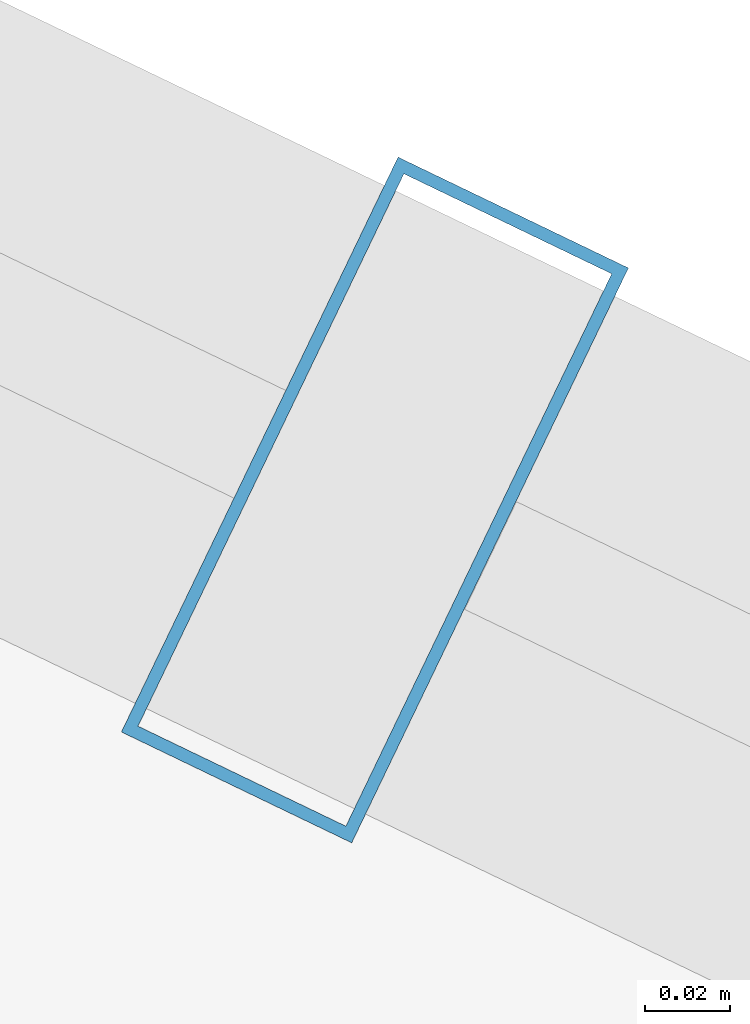
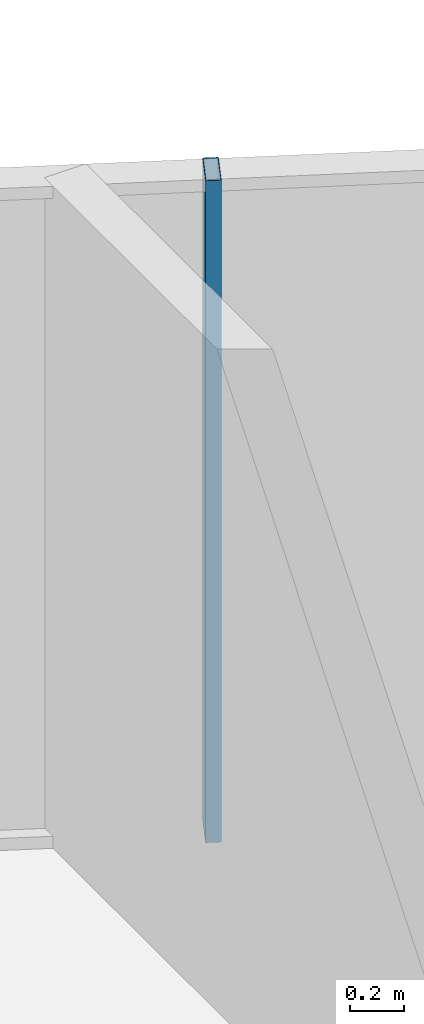
# One storey, part 26 of 34: 1 member, 1 element without a shape of its own.
"""IFC4 building model written with IfcOpenShell, lengths in metres."""

import ifcopenshell
import ifcopenshell.guid

model = None  # the IFC model being written
_history = None  # IfcOwnerHistory: only IFC2X3 demands one
_inside = {}  # id of a spatial element -> (the spatial element, [elements in it])
_under = {}  # id of a project, library or spatial element -> (it, [spatial elements below it])
_declared = {}  # id of a project -> (the project, [libraries it declares])
_typed = {}  # id of a type object -> (the type object, [elements of that type])
_made_of = {}  # id of a material, layer set ... -> (it, [elements and type objects made of it])


def new_model(schema):
    """Start an empty IFC model of exactly this schema.

    Asked for "IFC4X3", IfcOpenShell would pick the latest addendum, in which some entities
    have other attributes; the version numbers below select the first issue.
    IFC2X3 requires an IfcOwnerHistory on every rooted entity: one is made here for all.
    """
    global model, _history
    if schema == "IFC4X3":
        model = ifcopenshell.file(schema_version=(4, 3, 0, 0))
    else:
        model = ifcopenshell.file(schema=schema)
    _inside.clear()
    _under.clear()
    _declared.clear()
    _typed.clear()
    _made_of.clear()
    _history = None
    if model.schema == "IFC2X3":
        org = make("IfcOrganization", Name="unknown")
        user = make(
            "IfcPersonAndOrganization",
            ThePerson=make("IfcPerson", FamilyName="unknown"),
            TheOrganization=org,
        )
        app = make(
            "IfcApplication",
            ApplicationDeveloper=org,
            Version="unknown",
            ApplicationFullName="unknown",
            ApplicationIdentifier="unknown",
        )
        _history = make(
            "IfcOwnerHistory",
            OwningUser=user,
            OwningApplication=app,
            ChangeAction="ADDED",
            CreationDate=0,
        )
    return model


def make(cls, **values):
    """One entity of the class cls with the attributes given. An attribute that is None is left unset."""
    return model.create_entity(
        cls, **{name: value for name, value in values.items() if value is not None}
    )


def rooted(cls, **values):
    """An entity with a GlobalId (a new one), such as an element, a storey or a relation."""
    return make(cls, GlobalId=ifcopenshell.guid.new(), OwnerHistory=_history, **values)


def si_unit(unit_type, name, prefix=None):
    """IfcSIUnit, for example si_unit("LENGTHUNIT", "METRE", prefix="MILLI")."""
    return make("IfcSIUnit", UnitType=unit_type, Prefix=prefix, Name=name)


def assignment(units):
    """IfcUnitAssignment: the units of a project."""
    return None if units is None else make("IfcUnitAssignment", Units=units)


def point(xyz):
    """IfcCartesianPoint."""
    return None if xyz is None else make("IfcCartesianPoint", Coordinates=xyz)


def direction(xyz):
    """IfcDirection."""
    return None if xyz is None else make("IfcDirection", DirectionRatios=xyz)


def frame(location, z_axis=None, x_axis=None):
    """IfcAxis2Placement3D, a coordinate frame: its origin and axes. An axis left out is left unset."""
    return make(
        "IfcAxis2Placement3D",
        Location=point(location),
        Axis=direction(z_axis),
        RefDirection=direction(x_axis),
    )


def frame_2d(location, x_axis=None):
    """IfcAxis2Placement2D, a coordinate frame in the plane: its origin and x axis."""
    return make(
        "IfcAxis2Placement2D", Location=point(location), RefDirection=direction(x_axis)
    )


def origin():
    """The frame at (0, 0, 0) with its axes left unset."""
    return frame((0.0, 0.0, 0.0))


def origin_2d():
    """The frame at (0, 0) in the plane with its x axis left unset."""
    return frame_2d((0.0, 0.0))


def place(relative_to, where):
    """IfcLocalPlacement: puts the frame where relative to a parent placement (None: the world)."""
    return make(
        "IfcLocalPlacement", PlacementRelTo=relative_to, RelativePlacement=where
    )


def context(
    kind, dimensions, precision=None, world=None, true_north=None, identifier=None
):
    """IfcGeometricRepresentationContext, for example the 3D "Model" context."""
    return make(
        "IfcGeometricRepresentationContext",
        ContextIdentifier=identifier,
        ContextType=kind,
        CoordinateSpaceDimension=dimensions,
        Precision=precision,
        WorldCoordinateSystem=world,
        TrueNorth=true_north,
    )


def subcontext(parent, identifier, kind, view, scale=None):
    """IfcGeometricRepresentationSubContext, for example "Body" below "Model"."""
    return make(
        "IfcGeometricRepresentationSubContext",
        ContextIdentifier=identifier,
        ContextType=kind,
        ParentContext=parent,
        TargetScale=scale,
        TargetView=view,
    )


def project(units=None, contexts=None):
    """IfcProject with its units and contexts."""
    return rooted(
        "IfcProject",
        Name="project",
        RepresentationContexts=contexts,
        UnitsInContext=assignment(units),
    )


def spatial(cls, under=None, at=None, **own):
    """A site, building, storey or space (cls), placed at a placement, below another one or the project."""
    s = rooted(cls, ObjectPlacement=at, **own)
    if under is not None:
        _under.setdefault(under.id(), (under, []))[1].append(s)
    return s


def profile(cls, at=None, kind="AREA", **sizes):
    """A parametric profile (cls). Its sizes go by their IFC names, for example OverallWidth=200.0."""
    return make(cls, ProfileType=kind, Position=at, **sizes)


def hollow_rectangle(**sizes):
    """IfcRectangleHollowProfileDef."""
    return profile("IfcRectangleHollowProfileDef", **sizes)


def extrude(swept, where, along, depth):
    """IfcExtrudedAreaSolid: the profile swept, set in the frame where, extruded along a direction by depth."""
    return make(
        "IfcExtrudedAreaSolid",
        SweptArea=swept,
        Position=where,
        ExtrudedDirection=direction(along),
        Depth=depth,
    )


def shape(context_of_items, identifier, shape_type, items):
    """IfcShapeRepresentation: the items that make up one representation, for example the "Body"."""
    return make(
        "IfcShapeRepresentation",
        ContextOfItems=context_of_items,
        RepresentationIdentifier=identifier,
        RepresentationType=shape_type,
        Items=items,
    )


def source(mapping_origin, context_of_items, identifier, shape_type, items):
    """IfcRepresentationMap: a shape defined once, which mapped items show again and again."""
    return make(
        "IfcRepresentationMap",
        MappingOrigin=mapping_origin,
        MappedRepresentation=shape(context_of_items, identifier, shape_type, items),
    )


def transform(
    local_origin,
    x_axis=None,
    y_axis=None,
    z_axis=None,
    scale=None,
    scale2=None,
    scale3=None,
    uniform=True,
):
    """IfcCartesianTransformationOperator3D, or its non-uniform kind. x_axis, y_axis, z_axis: its Axis1, 2, 3."""
    if uniform:
        return make(
            "IfcCartesianTransformationOperator3D",
            Axis1=direction(x_axis),
            Axis2=direction(y_axis),
            LocalOrigin=point(local_origin),
            Scale=scale,
            Axis3=direction(z_axis),
        )
    return make(
        "IfcCartesianTransformationOperator3DnonUniform",
        Axis1=direction(x_axis),
        Axis2=direction(y_axis),
        LocalOrigin=point(local_origin),
        Scale=scale,
        Axis3=direction(z_axis),
        Scale2=scale2,
        Scale3=scale3,
    )


def mapped(mapping_source, mapping_target):
    """IfcMappedItem: shows the shape of a source again, moved by a transform."""
    return make(
        "IfcMappedItem", MappingSource=mapping_source, MappingTarget=mapping_target
    )


def material(Name=None, Category=None):
    """IfcMaterial."""
    return make("IfcMaterial", Name=Name, Category=Category)


def layer(
    of_material, thickness, ventilated=None, Name=None, Category=None, Priority=None
):
    """IfcMaterialLayer: one layer of a wall or slab, of a material (None: an air gap)."""
    return make(
        "IfcMaterialLayer",
        Material=of_material,
        LayerThickness=thickness,
        IsVentilated=ventilated,
        Name=Name,
        Category=Category,
        Priority=Priority,
    )


def layer_set(layers, Name=None):
    """IfcMaterialLayerSet."""
    return make("IfcMaterialLayerSet", MaterialLayers=layers, LayerSetName=Name)


def material_profile(
    of_material, cross_section, Name=None, Category=None, Priority=None
):
    """IfcMaterialProfile: a cross section and its material."""
    return make(
        "IfcMaterialProfile",
        Name=Name,
        Material=of_material,
        Profile=cross_section,
        Priority=Priority,
        Category=Category,
    )


def profile_set(profiles, Name=None, composite=None):
    """IfcMaterialProfileSet."""
    return make(
        "IfcMaterialProfileSet",
        Name=Name,
        MaterialProfiles=profiles,
        CompositeProfile=composite,
    )


def made_of(thing, what):
    """Note that an element or type object is made of a material, layer set ...; save() writes the relation."""
    if what is not None:
        _made_of.setdefault(what.id(), (what, []))[1].append(thing)
    return thing


def type_object(cls, material=None, **own):
    """A type object (cls), such as IfcWallType, which elements share."""
    return made_of(rooted(cls, **own), material)


def element(
    cls,
    number,
    at=None,
    inside=None,
    cuts=None,
    type_object=None,
    material=None,
    context=None,
    identifier="Body",
    shape_type=None,
    held_by="IfcProductDefinitionShape",
    body=None,
    shapes=None,
    **own,
):
    """One element of the class cls, such as IfcWall. Its Tag is "e" and its number.

    at: its placement. inside: the storey or other place that contains it. cuts: it is an
    opening in that element (IfcRelVoidsElement). A single representation is given by context,
    identifier, shape_type and body (its items); several are given by shapes. held_by: the class
    of the entity that holds the representations. save() writes the other relations.
    """
    e = rooted(cls, Tag="e%d" % number, ObjectPlacement=at, **own)
    if body is not None:
        shapes = [shape(context, identifier, shape_type, body)]
    if shapes is not None:
        e.Representation = make(held_by, Representations=shapes)
    if inside is not None:
        _inside.setdefault(inside.id(), (inside, []))[1].append(e)
    if cuts is not None:
        rooted(
            "IfcRelVoidsElement", RelatingBuildingElement=cuts, RelatedOpeningElement=e
        )
    if type_object is not None:
        _typed.setdefault(type_object.id(), (type_object, []))[1].append(e)
    return made_of(e, material)


def aggregate(whole, parts):
    """IfcRelAggregates: a whole, such as a stair, and the parts it consists of."""
    return rooted("IfcRelAggregates", RelatingObject=whole, RelatedObjects=parts)


def save(model, path):
    """Write the relations noted so far, then the file.

    IfcRelAggregates (storeys below a building ...), IfcRelContainedInSpatialStructure (elements
    in a storey), IfcRelDefinesByType, IfcRelAssociatesMaterial and IfcRelDeclares: one each for
    every whole, place, type object, material and project.
    """
    for whole, parts in _under.values():
        aggregate(whole, parts)
    for where, things in _inside.values():
        rooted(
            "IfcRelContainedInSpatialStructure",
            RelatedElements=things,
            RelatingStructure=where,
        )
    for kind, things in _typed.values():
        rooted("IfcRelDefinesByType", RelatedObjects=things, RelatingType=kind)
    for what, things in _made_of.values():
        rooted("IfcRelAssociatesMaterial", RelatedObjects=things, RelatingMaterial=what)
    for by, libraries in _declared.values():
        rooted("IfcRelDeclares", RelatingContext=by, RelatedDefinitions=libraries)
    model.write(path)


model = new_model("IFC4")

# Units and contexts
model_context = context("Model", 3, precision=1e-05, world=origin(), true_north=direction((0.0, 1.0)))
body_context = subcontext(model_context, "Body", "Model", "MODEL_VIEW")
ifc_project = project(units=[si_unit("LENGTHUNIT", "METRE"), si_unit("AREAUNIT", "SQUARE_METRE"), si_unit("VOLUMEUNIT", "CUBIC_METRE"), si_unit("PLANEANGLEUNIT", "RADIAN"), si_unit("MASSUNIT", "GRAM", prefix="KILO")], contexts=[model_context])

# Site, building, storey
site_placement = place(None, origin())
site = spatial("IfcSite", under=ifc_project, at=site_placement, CompositionType="ELEMENT")
building_placement = place(site_placement, origin())
building = spatial("IfcBuilding", under=site, at=building_placement, Name="Veraguas Prism Commons", CompositionType="ELEMENT")
storey_placement = place(building_placement, frame((0.0, 0.0, 191.85009765625)))
storey = spatial("IfcBuildingStorey", under=building, at=storey_placement, Name="L54", CompositionType="ELEMENT", Elevation=191.85009765625)

# Curtain wall, member
ifc_material = material(Name="Anodised aluminium EN AW-6063 T6", Category="aluminium")
ifc_layer = layer(ifc_material, 0.14990234375, Name="Unitised Flush Curtain Wall Zone 3", Category="aluminium")
ifc_layer_set = layer_set([ifc_layer], Name="Anodised aluminium EN AW-6063 T6")
curtain_wall_type = type_object("IfcCurtainWallType", Name="Unitised Flush Curtain Wall Zone 3", PredefinedType="NOTDEFINED", material=ifc_layer_set)
curtain_wall_placement = place(storey_placement, origin())
curtain_wall = element("IfcCurtainWall", 1, at=curtain_wall_placement, inside=storey, type_object=curtain_wall_type, Name="Tower Facade Curtain Wall L54-F1", PredefinedType="NOTDEFINED")
ifc_material_profile = material_profile(ifc_material, hollow_rectangle(XDim=0.06005859375, YDim=0.14990234375, WallThickness=0.0029296875, at=origin_2d()), Name="AL60X150X3")
ifc_profile_set = profile_set([ifc_material_profile], Name="Anodised aluminium EN AW-6063 T6")
member_type = type_object("IfcMemberType", Name="Curtain Wall Mullion Upper AL 60x150x3", PredefinedType="MULLION", material=ifc_profile_set)
shared_shape = source(origin(), body_context, "Body", "SweptSolid", [
    extrude(hollow_rectangle(XDim=0.06005859375, YDim=0.14990234375, WallThickness=0.0029296875, at=origin_2d()), origin(), (0.0, 0.0, 1.0), 3.014892578125),
])
member_placement = place(storey_placement, frame((31.68017578125, 39.958251953125, 0.0), z_axis=(0.0, 0.0, 1.0), x_axis=(-0.901073993789, 0.433665375281, 0.0)))
member = element("IfcMember", 2, at=member_placement, type_object=member_type, Name="CW-Z3 Mullion 3", PredefinedType="MULLION", context=body_context, shape_type="MappedRepresentation", body=[
    mapped(shared_shape, transform((0.0, 0.0, 0.0), scale=1.0)),
])
aggregate(curtain_wall, [member])

save(model, "model.ifc")
